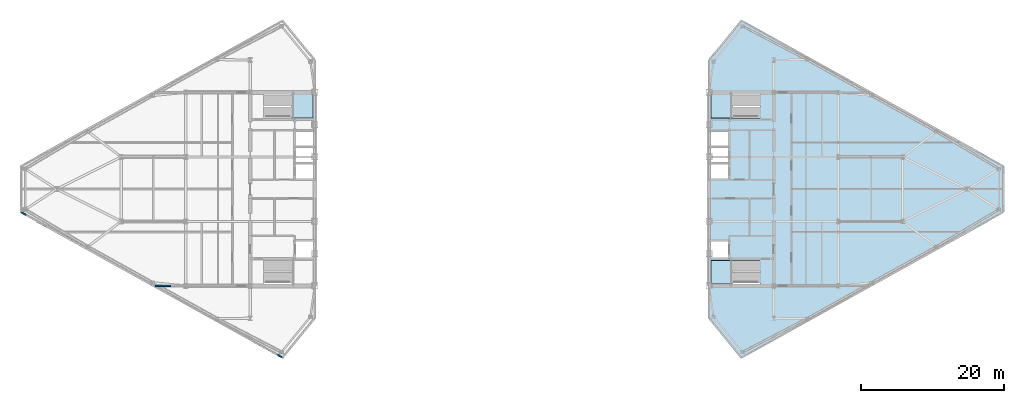
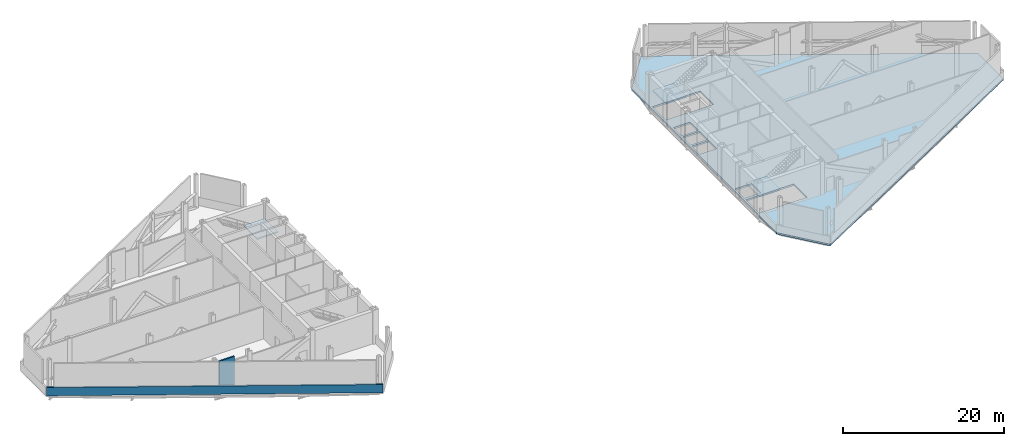
# One storey, part 5 of 11: 4 slabs, 2 walls, 3 elements without a shape of their own.
"""IFC4 building model written with IfcOpenShell, lengths in metres."""

from ifc_helpers import new_model, si_unit, direction, frame, frame_2d, origin, place, context, subcontext, project, spatial, polyline, rectangle, outline, extrude, material, layer, layer_set, type_object, element, aggregate, save


model = new_model("IFC4")

# Units and contexts
model_context = context("Model", 3, precision=1e-05, world=origin(), true_north=direction((0.0, 1.0)))
body_context = subcontext(model_context, "Body", "Model", "MODEL_VIEW")
ifc_project = project(units=[si_unit("LENGTHUNIT", "METRE"), si_unit("AREAUNIT", "SQUARE_METRE"), si_unit("VOLUMEUNIT", "CUBIC_METRE"), si_unit("PLANEANGLEUNIT", "RADIAN"), si_unit("MASSUNIT", "GRAM", prefix="KILO")], contexts=[model_context])

# Site, building, storey
site_placement = place(None, origin())
site = spatial("IfcSite", under=ifc_project, at=site_placement, CompositionType="ELEMENT")
building_placement = place(site_placement, origin())
building = spatial("IfcBuilding", under=site, at=building_placement, Name="Seokmaru Belvedere", CompositionType="ELEMENT")
storey_placement = place(building_placement, frame((0.0, 0.0, 162.0)))
storey = spatial("IfcBuildingStorey", under=building, at=storey_placement, Name="L43", CompositionType="ELEMENT", Elevation=162.0)

# Slab
ifc_material_1 = material(Name="Concrete C50 (50 MPa)", Category="concrete")
ifc_layer_1 = layer(ifc_material_1, 0.260009765625)
ifc_layer_set_1 = layer_set([ifc_layer_1], Name="Concrete C50 (50 MPa)")
slab_type_1 = type_object("IfcSlabType", Name="Refuge and Sky-Gate Heavy Floor Slab 260", PredefinedType="FLOOR", material=ifc_layer_set_1)
slab_1_placement = place(storey_placement, frame((0.0, 0.0, -0.260009765625)))
element("IfcSlab", 1, at=slab_1_placement, inside=storey, type_object=slab_type_1, Name="L43 East Leg Floor Slab", PredefinedType="FLOOR", context=body_context, shape_type="SweptSolid", body=[
    extrude(outline(polyline([(32.0, -23.5), (68.5, -3.199951171875), (68.5, 3.199951171875), (32.0, 23.5), (27.5, 18.0), (27.5, -18.0), (32.0, -23.5)]), holes=[polyline([(27.75, -13.25), (34.60009765625, -13.25), (34.60009765625, -9.949951171875), (27.75, -9.949951171875), (27.75, -13.25)]), polyline([(27.75, 9.949951171875), (34.60009765625, 9.949951171875), (34.60009765625, 13.25), (27.75, 13.25), (27.75, 9.949951171875)]), polyline([(27.75, -9.550048828125), (30.14990234375, -9.550048828125), (30.14990234375, -7.25), (27.75, -7.25), (27.75, -9.550048828125)]), polyline([(27.75, 1.449951171875), (30.14990234375, 1.449951171875), (30.14990234375, 3.449951171875), (27.75, 3.449951171875), (27.75, 1.449951171875)]), polyline([(27.75, 3.75), (30.14990234375, 3.75), (30.14990234375, 5.75), (27.75, 5.75), (27.75, 3.75)]), polyline([(27.75, 6.050048828125), (30.14990234375, 6.050048828125), (30.14990234375, 8.050048828125), (27.75, 8.050048828125), (27.75, 6.050048828125)])]), origin(), (0.0, 0.0, 1.0), 0.260009765625),
])

# Stair, slab
ifc_material_2 = material(Name="Concrete C40 (40 MPa)", Category="concrete")
stair_type = type_object("IfcStairType", Name="Refuge Storey Core Dog-Leg Stair 5100", PredefinedType="TWO_STRAIGHT_RUN_STAIR", material=ifc_material_2)
stair_1_placement = place(storey_placement, origin())
stair_1 = element("IfcStair", 2, at=stair_1_placement, inside=storey, type_object=stair_type, Name="L43 Special Escape Stair ST-W2", PredefinedType="TWO_STRAIGHT_RUN_STAIR")
ifc_layer_2 = layer(ifc_material_2, 0.199951171875)
ifc_layer_set_2 = layer_set([ifc_layer_2], Name="Concrete C40 (40 MPa)")
slab_type_2 = type_object("IfcSlabType", Name="Reinforced Concrete Stair Landing Slab 200", PredefinedType="LANDING", material=ifc_layer_set_2)
slab_2_placement = place(storey_placement, frame((0.0, 0.0, 2.35009765625)))
slab_2 = element("IfcSlab", 3, at=slab_2_placement, type_object=slab_type_2, Name="ST-W2 landing 1", PredefinedType="LANDING", context=body_context, shape_type="SweptSolid", body=[
    extrude(outline(polyline([(-30.760009765625, 9.949951171875), (-27.760009765625, 9.949951171875), (-27.760009765625, 13.239990234375), (-30.760009765625, 13.239990234375), (-30.760009765625, 9.949951171875)])), origin(), (0.0, 0.0, 1.0), 0.199951171875),
])
aggregate(stair_1, [slab_2])

stair_2_placement = place(storey_placement, origin())
stair_2 = element("IfcStair", 4, at=stair_2_placement, inside=storey, type_object=stair_type, Name="L43 Special Escape Stair ST-E1", PredefinedType="TWO_STRAIGHT_RUN_STAIR")
slab_3_placement = place(storey_placement, frame((0.0, 0.0, 2.35009765625)))
slab_3 = element("IfcSlab", 5, at=slab_3_placement, type_object=slab_type_2, Name="ST-E1 landing 1", PredefinedType="LANDING", context=body_context, shape_type="SweptSolid", body=[
    extrude(outline(polyline([(27.760009765625, -13.239990234375), (30.760009765625, -13.239990234375), (30.760009765625, -9.949951171875), (27.760009765625, -9.949951171875), (27.760009765625, -13.239990234375)])), origin(), (0.0, 0.0, 1.0), 0.199951171875),
])
aggregate(stair_2, [slab_3])

stair_3_placement = place(storey_placement, origin())
stair_3 = element("IfcStair", 6, at=stair_3_placement, inside=storey, type_object=stair_type, Name="L43 Special Escape Stair ST-E2", PredefinedType="TWO_STRAIGHT_RUN_STAIR")
slab_4_placement = place(storey_placement, frame((0.0, 0.0, 2.35009765625)))
slab_4 = element("IfcSlab", 7, at=slab_4_placement, type_object=slab_type_2, Name="ST-E2 landing 1", PredefinedType="LANDING", context=body_context, shape_type="SweptSolid", body=[
    extrude(outline(polyline([(27.760009765625, 9.949951171875), (30.760009765625, 9.949951171875), (30.760009765625, 13.239990234375), (27.760009765625, 13.239990234375), (27.760009765625, 9.949951171875)])), origin(), (0.0, 0.0, 1.0), 0.199951171875),
])
aggregate(stair_3, [slab_4])

# Walls
ifc_material_3 = material(Name="Fire-Rated Gypsum Shaftwall")
ifc_layer_3 = layer(ifc_material_3, 0.199951171875)
ifc_layer_set_3 = layer_set([ifc_layer_3], Name="Fire-Rated Gypsum Shaftwall")
wall_type_1 = type_object("IfcWallType", Name="Inter-Tenancy Fire Compartment Partition 200", PredefinedType="PARTITIONING", material=ifc_layer_set_3)
wall_1_placement = place(storey_placement, frame((-49.74365234375, -13.5, 0.0), z_axis=(0.0, 0.0, 1.0), x_axis=(1.0, 0.0, 0.0)))
element("IfcWall", 8, at=wall_1_placement, inside=storey, type_object=wall_type_1, Name="L43 Interior Partition 001", PredefinedType="PARTITIONING", context=body_context, shape_type="SweptSolid", body=[
    extrude(rectangle(XDim=2.15625, YDim=0.199951171875, at=frame_2d((1.078125, 0.0))), origin(), (0.0, 0.0, 1.0), 4.8798828125),
])
ifc_layer_4 = layer(ifc_material_2, 0.219970703125)
ifc_layer_set_4 = layer_set([ifc_layer_4], Name="Concrete C40 (40 MPa)")
wall_type_2 = type_object("IfcWallType", Name="Refuge and Roof Concrete Parapet 220", PredefinedType="PARAPET", material=ifc_layer_set_4)
wall_2_placement = place(storey_placement, frame((-68.482421875, -3.209716796875, 0.0), z_axis=(0.0, 0.0, 1.0), x_axis=(0.873930586172, -0.486050748947, 0.0)))
element("IfcWall", 9, at=wall_2_placement, inside=storey, type_object=wall_type_2, Name="L43 W Refuge Perimeter Parapet 5", PredefinedType="PARAPET", context=body_context, shape_type="SweptSolid", body=[
    extrude(rectangle(XDim=41.72509765625, YDim=0.219970703125, at=frame_2d((20.862548828125, 0.0))), origin(), (0.0, 0.0, 1.0), 1.25),
])

save(model, "model.ifc")
